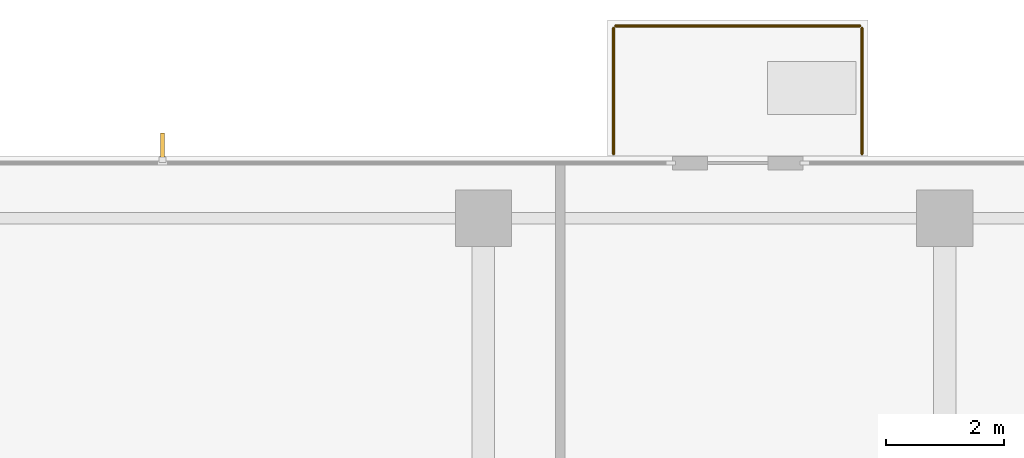
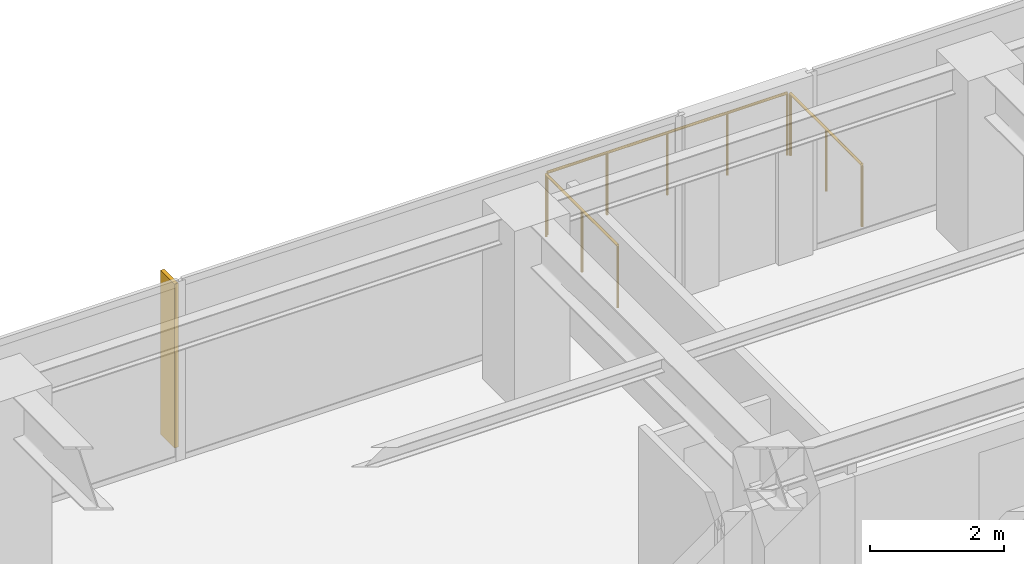
# One storey, part 15 of 15: 3 railings, 1 shading device.
"""IFC4 building model written with IfcOpenShell, lengths in metres."""

from ifc_helpers import new_model, si_unit, direction, frame, origin, origin_2d, place, context, subcontext, project, spatial, polyline, circle, outline, extrude, material, layer, layer_set, type_object, element, save


model = new_model("IFC4")

# Units and contexts
model_context = context("Model", 3, precision=1e-05, world=origin(), true_north=direction((0.0, 1.0)))
body_context = subcontext(model_context, "Body", "Model", "MODEL_VIEW")
ifc_project = project(units=[si_unit("LENGTHUNIT", "METRE"), si_unit("AREAUNIT", "SQUARE_METRE"), si_unit("VOLUMEUNIT", "CUBIC_METRE"), si_unit("PLANEANGLEUNIT", "RADIAN"), si_unit("MASSUNIT", "GRAM", prefix="KILO")], contexts=[model_context])

# Site, building, storey
site_placement = place(None, origin())
site = spatial("IfcSite", under=ifc_project, at=site_placement, CompositionType="ELEMENT")
building_placement = place(site_placement, origin())
building = spatial("IfcBuilding", under=site, at=building_placement, Name="Qalmaran Belvedere Hotel", CompositionType="ELEMENT")
storey_placement = place(building_placement, frame((0.0, 0.0, 221.39990234375)))
storey = spatial("IfcBuildingStorey", under=building, at=storey_placement, Name="L56", CompositionType="ELEMENT", Elevation=221.39990234375)

# Shading device
ifc_material = material(Name="Anodised Bronze Aluminium", Category="aluminium")
ifc_layer = layer(ifc_material, 0.06494140625, Name="Anodised Bronze Aluminium")
ifc_layer_set = layer_set([ifc_layer], Name="Anodised Bronze Aluminium")
shading_device_type = type_object("IfcShadingDeviceType", Name="FIN-BRNZ-420", PredefinedType="USERDEFINED", material=ifc_layer_set)
shading_device_placement = place(storey_placement, frame((0.0, 0.0, 0.16015625)))
element("IfcShadingDevice", 1, at=shading_device_placement, inside=storey, type_object=shading_device_type, Name="L56 Bronze Fin 1", ObjectType="FIN", PredefinedType="USERDEFINED", context=body_context, shape_type="SweptSolid", body=[
    extrude(outline(polyline([(23.8076171875, 41.467529296875), (23.8076171875, 41.887451171875), (23.742431640625, 41.887451171875), (23.742431640625, 41.467529296875), (23.8076171875, 41.467529296875)])), origin(), (0.0, 0.0, 1.0), 2.97998046875),
])

# Railings
railing_type = type_object("IfcRailingType", Name="GRD-BAL-1150", PredefinedType="BALUSTRADE", material=ifc_material)
railing_1_placement = place(storey_placement, frame((31.39990234375, 41.534912109375, 0.0)))
element("IfcRailing", 2, at=railing_1_placement, inside=storey, type_object=railing_type, Name="L56 Guardrail BAL-L56-N-1", PredefinedType="BALUSTRADE", context=body_context, shape_type="SweptSolid", body=[
    extrude(circle(Radius=0.02392578125, at=origin_2d()), frame((0.0, 0.0, 1.1259765625), z_axis=(0.0, 1.0, 0.0), x_axis=(-1.0, 0.0, 0.0)), (0.0, 0.0, 1.0), 2.130126953125),
    extrude(circle(Radius=0.02099609375, at=origin_2d()), origin(), (0.0, 0.0, 1.0), 1.101806640625),
    extrude(circle(Radius=0.02099609375, at=origin_2d()), frame((0.0, 1.06494140625, 0.0)), (0.0, 0.0, 1.0), 1.101806640625),
    extrude(circle(Radius=0.02099609375, at=origin_2d()), frame((0.0, 2.130126953125, 0.0)), (0.0, 0.0, 1.0), 1.101806640625),
])
railing_2_placement = place(storey_placement, frame((31.43505859375, 43.699951171875, 0.0)))
element("IfcRailing", 3, at=railing_2_placement, inside=storey, type_object=railing_type, Name="L56 Guardrail BAL-L56-N-2", PredefinedType="BALUSTRADE", context=body_context, shape_type="SweptSolid", body=[
    extrude(circle(Radius=0.02392578125, at=origin_2d()), frame((0.0, 0.0, 1.1259765625), z_axis=(1.0, 0.0, 0.0), x_axis=(0.0, 1.0, 0.0)), (0.0, 0.0, 1.0), 4.1298828125),
    extrude(circle(Radius=0.02099609375, at=origin_2d()), origin(), (0.0, 0.0, 1.0), 1.101806640625),
    extrude(circle(Radius=0.02099609375, at=origin_2d()), frame((1.032470703125, 0.0, 0.0)), (0.0, 0.0, 1.0), 1.101806640625),
    extrude(circle(Radius=0.02099609375, at=origin_2d()), frame((2.06494140625, 0.0, 0.0)), (0.0, 0.0, 1.0), 1.101806640625),
    extrude(circle(Radius=0.02099609375, at=origin_2d()), frame((3.097412109375, 0.0, 0.0)), (0.0, 0.0, 1.0), 1.101806640625),
    extrude(circle(Radius=0.02099609375, at=origin_2d()), frame((4.1298828125, 0.0, 0.0)), (0.0, 0.0, 1.0), 1.101806640625),
])
railing_3_placement = place(storey_placement, frame((35.60009765625, 43.6650390625, 0.0)))
element("IfcRailing", 4, at=railing_3_placement, inside=storey, type_object=railing_type, Name="L56 Guardrail BAL-L56-N-3", PredefinedType="BALUSTRADE", context=body_context, shape_type="SweptSolid", body=[
    extrude(circle(Radius=0.02392578125, at=origin_2d()), frame((0.0, 0.0, 1.1259765625), z_axis=(0.0, -1.0, 0.0), x_axis=(1.0, 0.0, 0.0)), (0.0, 0.0, 1.0), 2.130126953125),
    extrude(circle(Radius=0.02099609375, at=origin_2d()), origin(), (0.0, 0.0, 1.0), 1.101806640625),
    extrude(circle(Radius=0.02099609375, at=origin_2d()), frame((0.0, -1.06494140625, 0.0)), (0.0, 0.0, 1.0), 1.101806640625),
    extrude(circle(Radius=0.02099609375, at=origin_2d()), frame((0.0, -2.130126953125, 0.0)), (0.0, 0.0, 1.0), 1.101806640625),
])

save(model, "model.ifc")
